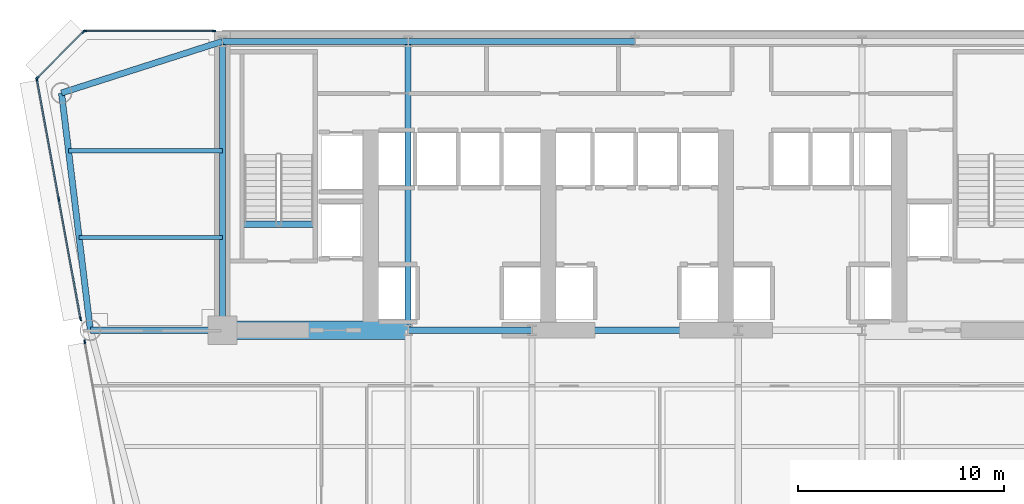
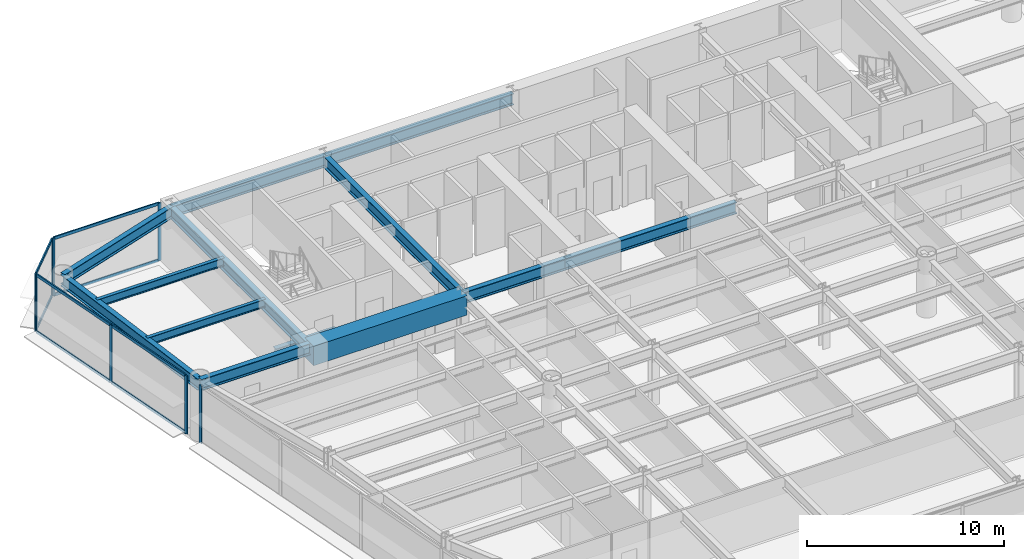
# One storey, part 6 of 15: 16 members, 13 beams, 4 elements without a shape of their own.
"""IFC4 building model written with IfcOpenShell, lengths in metres."""

import ifcopenshell
import ifcopenshell.guid

model = None  # the IFC model being written
_history = None  # IfcOwnerHistory: only IFC2X3 demands one
_inside = {}  # id of a spatial element -> (the spatial element, [elements in it])
_under = {}  # id of a project, library or spatial element -> (it, [spatial elements below it])
_declared = {}  # id of a project -> (the project, [libraries it declares])
_typed = {}  # id of a type object -> (the type object, [elements of that type])
_made_of = {}  # id of a material, layer set ... -> (it, [elements and type objects made of it])


def new_model(schema):
    """Start an empty IFC model of exactly this schema.

    Asked for "IFC4X3", IfcOpenShell would pick the latest addendum, in which some entities
    have other attributes; the version numbers below select the first issue.
    IFC2X3 requires an IfcOwnerHistory on every rooted entity: one is made here for all.
    """
    global model, _history
    if schema == "IFC4X3":
        model = ifcopenshell.file(schema_version=(4, 3, 0, 0))
    else:
        model = ifcopenshell.file(schema=schema)
    _inside.clear()
    _under.clear()
    _declared.clear()
    _typed.clear()
    _made_of.clear()
    _history = None
    if model.schema == "IFC2X3":
        org = make("IfcOrganization", Name="unknown")
        user = make(
            "IfcPersonAndOrganization",
            ThePerson=make("IfcPerson", FamilyName="unknown"),
            TheOrganization=org,
        )
        app = make(
            "IfcApplication",
            ApplicationDeveloper=org,
            Version="unknown",
            ApplicationFullName="unknown",
            ApplicationIdentifier="unknown",
        )
        _history = make(
            "IfcOwnerHistory",
            OwningUser=user,
            OwningApplication=app,
            ChangeAction="ADDED",
            CreationDate=0,
        )
    return model


def make(cls, **values):
    """One entity of the class cls with the attributes given. An attribute that is None is left unset."""
    return model.create_entity(
        cls, **{name: value for name, value in values.items() if value is not None}
    )


def rooted(cls, **values):
    """An entity with a GlobalId (a new one), such as an element, a storey or a relation."""
    return make(cls, GlobalId=ifcopenshell.guid.new(), OwnerHistory=_history, **values)


def si_unit(unit_type, name, prefix=None):
    """IfcSIUnit, for example si_unit("LENGTHUNIT", "METRE", prefix="MILLI")."""
    return make("IfcSIUnit", UnitType=unit_type, Prefix=prefix, Name=name)


def assignment(units):
    """IfcUnitAssignment: the units of a project."""
    return None if units is None else make("IfcUnitAssignment", Units=units)


def point(xyz):
    """IfcCartesianPoint."""
    return None if xyz is None else make("IfcCartesianPoint", Coordinates=xyz)


def direction(xyz):
    """IfcDirection."""
    return None if xyz is None else make("IfcDirection", DirectionRatios=xyz)


def frame(location, z_axis=None, x_axis=None):
    """IfcAxis2Placement3D, a coordinate frame: its origin and axes. An axis left out is left unset."""
    return make(
        "IfcAxis2Placement3D",
        Location=point(location),
        Axis=direction(z_axis),
        RefDirection=direction(x_axis),
    )


def frame_2d(location, x_axis=None):
    """IfcAxis2Placement2D, a coordinate frame in the plane: its origin and x axis."""
    return make(
        "IfcAxis2Placement2D", Location=point(location), RefDirection=direction(x_axis)
    )


def origin():
    """The frame at (0, 0, 0) with its axes left unset."""
    return frame((0.0, 0.0, 0.0))


def origin_2d():
    """The frame at (0, 0) in the plane with its x axis left unset."""
    return frame_2d((0.0, 0.0))


def place(relative_to, where):
    """IfcLocalPlacement: puts the frame where relative to a parent placement (None: the world)."""
    return make(
        "IfcLocalPlacement", PlacementRelTo=relative_to, RelativePlacement=where
    )


def context(
    kind, dimensions, precision=None, world=None, true_north=None, identifier=None
):
    """IfcGeometricRepresentationContext, for example the 3D "Model" context."""
    return make(
        "IfcGeometricRepresentationContext",
        ContextIdentifier=identifier,
        ContextType=kind,
        CoordinateSpaceDimension=dimensions,
        Precision=precision,
        WorldCoordinateSystem=world,
        TrueNorth=true_north,
    )


def subcontext(parent, identifier, kind, view, scale=None):
    """IfcGeometricRepresentationSubContext, for example "Body" below "Model"."""
    return make(
        "IfcGeometricRepresentationSubContext",
        ContextIdentifier=identifier,
        ContextType=kind,
        ParentContext=parent,
        TargetScale=scale,
        TargetView=view,
    )


def project(units=None, contexts=None):
    """IfcProject with its units and contexts."""
    return rooted(
        "IfcProject",
        Name="project",
        RepresentationContexts=contexts,
        UnitsInContext=assignment(units),
    )


def spatial(cls, under=None, at=None, **own):
    """A site, building, storey or space (cls), placed at a placement, below another one or the project."""
    s = rooted(cls, ObjectPlacement=at, **own)
    if under is not None:
        _under.setdefault(under.id(), (under, []))[1].append(s)
    return s


def profile(cls, at=None, kind="AREA", **sizes):
    """A parametric profile (cls). Its sizes go by their IFC names, for example OverallWidth=200.0."""
    return make(cls, ProfileType=kind, Position=at, **sizes)


def rectangle(**sizes):
    """IfcRectangleProfileDef."""
    return profile("IfcRectangleProfileDef", **sizes)


def i_section(**sizes):
    """IfcIShapeProfileDef."""
    return profile("IfcIShapeProfileDef", **sizes)


def extrude(swept, where, along, depth):
    """IfcExtrudedAreaSolid: the profile swept, set in the frame where, extruded along a direction by depth."""
    return make(
        "IfcExtrudedAreaSolid",
        SweptArea=swept,
        Position=where,
        ExtrudedDirection=direction(along),
        Depth=depth,
    )


def shape(context_of_items, identifier, shape_type, items):
    """IfcShapeRepresentation: the items that make up one representation, for example the "Body"."""
    return make(
        "IfcShapeRepresentation",
        ContextOfItems=context_of_items,
        RepresentationIdentifier=identifier,
        RepresentationType=shape_type,
        Items=items,
    )


def source(mapping_origin, context_of_items, identifier, shape_type, items):
    """IfcRepresentationMap: a shape defined once, which mapped items show again and again."""
    return make(
        "IfcRepresentationMap",
        MappingOrigin=mapping_origin,
        MappedRepresentation=shape(context_of_items, identifier, shape_type, items),
    )


def transform(
    local_origin,
    x_axis=None,
    y_axis=None,
    z_axis=None,
    scale=None,
    scale2=None,
    scale3=None,
    uniform=True,
):
    """IfcCartesianTransformationOperator3D, or its non-uniform kind. x_axis, y_axis, z_axis: its Axis1, 2, 3."""
    if uniform:
        return make(
            "IfcCartesianTransformationOperator3D",
            Axis1=direction(x_axis),
            Axis2=direction(y_axis),
            LocalOrigin=point(local_origin),
            Scale=scale,
            Axis3=direction(z_axis),
        )
    return make(
        "IfcCartesianTransformationOperator3DnonUniform",
        Axis1=direction(x_axis),
        Axis2=direction(y_axis),
        LocalOrigin=point(local_origin),
        Scale=scale,
        Axis3=direction(z_axis),
        Scale2=scale2,
        Scale3=scale3,
    )


def mapped(mapping_source, mapping_target):
    """IfcMappedItem: shows the shape of a source again, moved by a transform."""
    return make(
        "IfcMappedItem", MappingSource=mapping_source, MappingTarget=mapping_target
    )


def material(Name=None, Category=None):
    """IfcMaterial."""
    return make("IfcMaterial", Name=Name, Category=Category)


def layer(
    of_material, thickness, ventilated=None, Name=None, Category=None, Priority=None
):
    """IfcMaterialLayer: one layer of a wall or slab, of a material (None: an air gap)."""
    return make(
        "IfcMaterialLayer",
        Material=of_material,
        LayerThickness=thickness,
        IsVentilated=ventilated,
        Name=Name,
        Category=Category,
        Priority=Priority,
    )


def layer_set(layers, Name=None):
    """IfcMaterialLayerSet."""
    return make("IfcMaterialLayerSet", MaterialLayers=layers, LayerSetName=Name)


def material_profile(
    of_material, cross_section, Name=None, Category=None, Priority=None
):
    """IfcMaterialProfile: a cross section and its material."""
    return make(
        "IfcMaterialProfile",
        Name=Name,
        Material=of_material,
        Profile=cross_section,
        Priority=Priority,
        Category=Category,
    )


def profile_set(profiles, Name=None, composite=None):
    """IfcMaterialProfileSet."""
    return make(
        "IfcMaterialProfileSet",
        Name=Name,
        MaterialProfiles=profiles,
        CompositeProfile=composite,
    )


def made_of(thing, what):
    """Note that an element or type object is made of a material, layer set ...; save() writes the relation."""
    if what is not None:
        _made_of.setdefault(what.id(), (what, []))[1].append(thing)
    return thing


def type_object(cls, material=None, **own):
    """A type object (cls), such as IfcWallType, which elements share."""
    return made_of(rooted(cls, **own), material)


def element(
    cls,
    number,
    at=None,
    inside=None,
    cuts=None,
    type_object=None,
    material=None,
    context=None,
    identifier="Body",
    shape_type=None,
    held_by="IfcProductDefinitionShape",
    body=None,
    shapes=None,
    **own,
):
    """One element of the class cls, such as IfcWall. Its Tag is "e" and its number.

    at: its placement. inside: the storey or other place that contains it. cuts: it is an
    opening in that element (IfcRelVoidsElement). A single representation is given by context,
    identifier, shape_type and body (its items); several are given by shapes. held_by: the class
    of the entity that holds the representations. save() writes the other relations.
    """
    e = rooted(cls, Tag="e%d" % number, ObjectPlacement=at, **own)
    if body is not None:
        shapes = [shape(context, identifier, shape_type, body)]
    if shapes is not None:
        e.Representation = make(held_by, Representations=shapes)
    if inside is not None:
        _inside.setdefault(inside.id(), (inside, []))[1].append(e)
    if cuts is not None:
        rooted(
            "IfcRelVoidsElement", RelatingBuildingElement=cuts, RelatedOpeningElement=e
        )
    if type_object is not None:
        _typed.setdefault(type_object.id(), (type_object, []))[1].append(e)
    return made_of(e, material)


def aggregate(whole, parts):
    """IfcRelAggregates: a whole, such as a stair, and the parts it consists of."""
    return rooted("IfcRelAggregates", RelatingObject=whole, RelatedObjects=parts)


def save(model, path):
    """Write the relations noted so far, then the file.

    IfcRelAggregates (storeys below a building ...), IfcRelContainedInSpatialStructure (elements
    in a storey), IfcRelDefinesByType, IfcRelAssociatesMaterial and IfcRelDeclares: one each for
    every whole, place, type object, material and project.
    """
    for whole, parts in _under.values():
        aggregate(whole, parts)
    for where, things in _inside.values():
        rooted(
            "IfcRelContainedInSpatialStructure",
            RelatedElements=things,
            RelatingStructure=where,
        )
    for kind, things in _typed.values():
        rooted("IfcRelDefinesByType", RelatedObjects=things, RelatingType=kind)
    for what, things in _made_of.values():
        rooted("IfcRelAssociatesMaterial", RelatedObjects=things, RelatingMaterial=what)
    for by, libraries in _declared.values():
        rooted("IfcRelDeclares", RelatingContext=by, RelatedDefinitions=libraries)
    model.write(path)


model = new_model("IFC4")

# Units and contexts
model_context = context("Model", 3, precision=1e-05, world=origin(), true_north=direction((0.0, 1.0)))
body_context = subcontext(model_context, "Body", "Model", "MODEL_VIEW")
ifc_project = project(units=[si_unit("LENGTHUNIT", "METRE"), si_unit("AREAUNIT", "SQUARE_METRE"), si_unit("VOLUMEUNIT", "CUBIC_METRE"), si_unit("PLANEANGLEUNIT", "RADIAN"), si_unit("MASSUNIT", "GRAM", prefix="KILO")], contexts=[model_context])

# Site, building, storey
site_placement = place(None, origin())
site = spatial("IfcSite", under=ifc_project, at=site_placement, CompositionType="ELEMENT")
building_placement = place(site_placement, origin())
building = spatial("IfcBuilding", under=site, at=building_placement, Name="Vaeldorn Concourse Tower", CompositionType="ELEMENT")
storey_placement = place(building_placement, frame((0.0, 0.0, 103.39990234375)))
storey = spatial("IfcBuildingStorey", under=building, at=storey_placement, Name="L26", CompositionType="ELEMENT", Elevation=103.39990234375)

# Beams
ifc_material_1 = material(Name="Concrete C60/75", Category="concrete")
ifc_material_profile_1 = material_profile(ifc_material_1, rectangle(XDim=0.89990234375, YDim=1.199951171875, at=origin_2d()), Name="RC 900x1200")
ifc_profile_set_1 = profile_set([ifc_material_profile_1], Name="Concrete C60/75")
beam_type_1 = type_object("IfcBeamType", Name="BM-CB-RC900", PredefinedType="BEAM", material=ifc_profile_set_1)
shared_shape_1 = source(origin(), body_context, "Body", "SweptSolid", [
    extrude(rectangle(XDim=0.89990234375, YDim=1.199951171875, at=origin_2d()), origin(), (0.0, 0.0, 1.0), 9.0),
])
beam_1_placement = place(storey_placement, frame((14.0, 36.5, 2.97998046875), z_axis=(1.0, 0.0, 0.0), x_axis=(0.0, 1.0, 0.0)))
element("IfcBeam", 1, at=beam_1_placement, inside=storey, type_object=beam_type_1, Name="Core Coupling Beam L26-1", PredefinedType="BEAM", context=body_context, shape_type="MappedRepresentation", body=[
    mapped(shared_shape_1, transform((0.0, 0.0, 0.0), scale=1.0)),
])
ifc_material_2 = material(Name="Steel S355", Category="steel")
ifc_material_profile_2 = material_profile(ifc_material_2, i_section(OverallWidth=0.300048828125, OverallDepth=0.340087890625, WebThickness=0.011962890625, FlangeThickness=0.021484375, FilletRadius=0.027099609375, at=origin_2d()), Name="HEB 340")
ifc_profile_set_2 = profile_set([ifc_material_profile_2], Name="Steel S355")
beam_type_2 = type_object("IfcBeamType", Name="BM-ST-TRIM", PredefinedType="BEAM", material=ifc_profile_set_2)
shared_shape_2 = source(origin(), body_context, "Body", "SweptSolid", [
    extrude(i_section(OverallWidth=0.300048828125, OverallDepth=0.340087890625, WebThickness=0.011962890625, FlangeThickness=0.021484375, FilletRadius=0.027099609375, at=origin_2d()), origin(), (0.0, 0.0, 1.0), 3.590087890625),
])
beam_2_placement = place(storey_placement, frame((14.929931640625, 41.639892578125, -0.389892578125), z_axis=(1.0, 0.0, 0.0), x_axis=(0.0, 1.0, 0.0)))
element("IfcBeam", 2, at=beam_2_placement, inside=storey, type_object=beam_type_2, Name="Stair Landing Trimmer Beam ST-1 L26", PredefinedType="BEAM", context=body_context, shape_type="MappedRepresentation", body=[
    mapped(shared_shape_2, transform((0.0, 0.0, 0.0), scale=1.0)),
])
ifc_material_profile_3 = material_profile(ifc_material_2, i_section(OverallWidth=0.199951171875, OverallDepth=0.5, WebThickness=0.01025390625, FlangeThickness=0.01611328125, FilletRadius=0.02099609375, at=origin_2d()), Name="IPE 500")
ifc_profile_set_3 = profile_set([ifc_material_profile_3], Name="Steel S355")
beam_type_3 = type_object("IfcBeamType", Name="BM-JS-IPE500", PredefinedType="JOIST", material=ifc_profile_set_3)
shared_shape_3 = source(origin(), body_context, "Body", "SweptSolid", [
    extrude(i_section(OverallWidth=0.199951171875, OverallDepth=0.5, WebThickness=0.01025390625, FlangeThickness=0.01611328125, FilletRadius=0.02099609375, at=origin_2d()), origin(), (0.0, 0.0, 1.0), 6.94775390625),
])
beam_3_placement = place(storey_placement, frame((7.05224609375, 41.0, 3.330078125), z_axis=(1.0, 0.0, 0.0), x_axis=(0.0, 1.0, 0.0)))
element("IfcBeam", 3, at=beam_3_placement, inside=storey, type_object=beam_type_3, Name="Beam JS-L26-NW-410", PredefinedType="JOIST", context=body_context, shape_type="MappedRepresentation", body=[
    mapped(shared_shape_3, transform((0.0, 0.0, 0.0), scale=1.0)),
])
shared_shape_4 = source(origin(), body_context, "Body", "SweptSolid", [
    extrude(i_section(OverallWidth=0.199951171875, OverallDepth=0.5, WebThickness=0.01025390625, FlangeThickness=0.01611328125, FilletRadius=0.02099609375, at=origin_2d()), origin(), (0.0, 0.0, 1.0), 7.458984375),
])
beam_4_placement = place(storey_placement, frame((6.541015625, 45.199951171875, 3.330078125), z_axis=(1.0, 0.0, 0.0), x_axis=(0.0, 1.0, 0.0)))
element("IfcBeam", 4, at=beam_4_placement, inside=storey, type_object=beam_type_3, Name="Beam JS-L26-NW-452", PredefinedType="JOIST", context=body_context, shape_type="MappedRepresentation", body=[
    mapped(shared_shape_4, transform((0.0, 0.0, 0.0), scale=1.0)),
])
ifc_material_profile_4 = material_profile(ifc_material_2, i_section(OverallWidth=0.300048828125, OverallDepth=0.699951171875, WebThickness=0.01708984375, FlangeThickness=0.031982421875, FilletRadius=0.027099609375, at=origin_2d()), Name="HEB 700")
ifc_profile_set_4 = profile_set([ifc_material_profile_4], Name="Steel S355")
beam_type_4 = type_object("IfcBeamType", Name="BM-PG-HEB700", PredefinedType="BEAM", material=ifc_profile_set_4)
shared_shape_5 = source(origin(), body_context, "Body", "SweptSolid", [
    extrude(i_section(OverallWidth=0.300048828125, OverallDepth=0.699951171875, WebThickness=0.01708984375, FlangeThickness=0.031982421875, FilletRadius=0.027099609375, at=origin_2d()), origin(), (0.0, 0.0, 1.0), 6.0),
])
beam_5_placement = place(storey_placement, frame((23.0, 36.5, 3.22998046875), z_axis=(1.0, 0.0, 0.0), x_axis=(0.0, 1.0, 0.0)))
element("IfcBeam", 5, at=beam_5_placement, inside=storey, type_object=beam_type_4, Name="Beam BM-L26-C-FC2-C-FC3", PredefinedType="BEAM", context=body_context, shape_type="MappedRepresentation", body=[
    mapped(shared_shape_5, transform((0.0, 0.0, 0.0), scale=1.0)),
])
shared_shape_6 = source(origin(), body_context, "Body", "SweptSolid", [
    extrude(i_section(OverallWidth=0.300048828125, OverallDepth=0.699951171875, WebThickness=0.01708984375, FlangeThickness=0.031982421875, FilletRadius=0.027099609375, at=origin_2d()), origin(), (0.0, 0.0, 1.0), 10.0),
])
beam_6_placement = place(storey_placement, frame((29.0, 36.5, 3.22998046875), z_axis=(1.0, 0.0, 0.0), x_axis=(0.0, 1.0, 0.0)))
element("IfcBeam", 6, at=beam_6_placement, inside=storey, type_object=beam_type_4, Name="Beam BM-L26-C-FC3-C-FC4", PredefinedType="BEAM", context=body_context, shape_type="MappedRepresentation", body=[
    mapped(shared_shape_6, transform((0.0, 0.0, 0.0), scale=1.0)),
])
shared_shape_7 = source(origin(), body_context, "Body", "SweptSolid", [
    extrude(i_section(OverallWidth=0.300048828125, OverallDepth=0.699951171875, WebThickness=0.01708984375, FlangeThickness=0.031982421875, FilletRadius=0.027099609375, at=origin_2d()), origin(), (0.0, 0.0, 1.0), 9.0),
])
beam_7_placement = place(storey_placement, frame((14.0, 50.5, 3.22998046875), z_axis=(1.0, 0.0, 0.0), x_axis=(0.0, 1.0, 0.0)))
element("IfcBeam", 7, at=beam_7_placement, inside=storey, type_object=beam_type_4, Name="Beam BM-L26-C-HC1-C-HC2", PredefinedType="BEAM", context=body_context, shape_type="MappedRepresentation", body=[
    mapped(shared_shape_7, transform((0.0, 0.0, 0.0), scale=1.0)),
])
shared_shape_8 = source(origin(), body_context, "Body", "SweptSolid", [
    extrude(i_section(OverallWidth=0.300048828125, OverallDepth=0.699951171875, WebThickness=0.01708984375, FlangeThickness=0.031982421875, FilletRadius=0.027099609375, at=origin_2d()), origin(), (0.0, 0.0, 1.0), 11.0),
])
beam_8_placement = place(storey_placement, frame((23.0, 50.5, 3.22998046875), z_axis=(1.0, 0.0, 0.0), x_axis=(0.0, 1.0, 0.0)))
element("IfcBeam", 8, at=beam_8_placement, inside=storey, type_object=beam_type_4, Name="Beam BM-L26-C-HC2-C-HC3", PredefinedType="BEAM", context=body_context, shape_type="MappedRepresentation", body=[
    mapped(shared_shape_8, transform((0.0, 0.0, 0.0), scale=1.0)),
])
shared_shape_9 = source(origin(), body_context, "Body", "SweptSolid", [
    extrude(i_section(OverallWidth=0.300048828125, OverallDepth=0.699951171875, WebThickness=0.01708984375, FlangeThickness=0.031982421875, FilletRadius=0.027099609375, at=origin_2d()), origin(), (0.0, 0.0, 1.0), 14.0),
])
for number, where, z_axis, x_axis, name in (
    (9, (14.0, 36.5, 3.22998046875), (0.0, 1.0, 0.0), (-1.0, 0.0, 0.0), "Beam BM-L26-C-FC1-C-HC1"),
    (10, (23.0, 36.5, 3.22998046875), (0.0, 1.0, 0.0), (-1.0, 0.0, 0.0), "Beam BM-L26-C-FC2-C-HC2"),
):
    element("IfcBeam", number, at=place(storey_placement, frame(where, z_axis=z_axis, x_axis=x_axis)), inside=storey, type_object=beam_type_4, Name=name, PredefinedType="BEAM", context=body_context, shape_type="MappedRepresentation", body=[
        mapped(shared_shape_9, transform((0.0, 0.0, 0.0), scale=1.0)),
    ])
shared_shape_10 = source(origin(), body_context, "Body", "SweptSolid", [
    extrude(i_section(OverallWidth=0.300048828125, OverallDepth=0.699951171875, WebThickness=0.01708984375, FlangeThickness=0.031982421875, FilletRadius=0.027099609375, at=origin_2d()), origin(), (0.0, 0.0, 1.0), 8.19091796875),
])
beam_9_placement = place(storey_placement, frame((6.199951171875, 48.0, 3.22998046875), z_axis=(0.952282843383, 0.305216949396, 0.0), x_axis=(-0.305216949396, 0.952282843383, 0.0)))
element("IfcBeam", 11, at=beam_9_placement, inside=storey, type_object=beam_type_4, Name="Beam BM-L26-C-NW1-C-HC1", PredefinedType="BEAM", context=body_context, shape_type="MappedRepresentation", body=[
    mapped(shared_shape_10, transform((0.0, 0.0, 0.0), scale=1.0)),
])
shared_shape_11 = source(origin(), body_context, "Body", "SweptSolid", [
    extrude(i_section(OverallWidth=0.300048828125, OverallDepth=0.699951171875, WebThickness=0.01708984375, FlangeThickness=0.031982421875, FilletRadius=0.027099609375, at=origin_2d()), origin(), (0.0, 0.0, 1.0), 11.5849609375),
])
beam_10_placement = place(storey_placement, frame((6.199951171875, 48.0, 3.22998046875), z_axis=(0.120859382899, -0.992669637677, 0.0), x_axis=(0.992669637677, 0.120859382899, 0.0)))
element("IfcBeam", 12, at=beam_10_placement, inside=storey, type_object=beam_type_4, Name="Beam BM-L26-C-NW1-C-NW2", PredefinedType="BEAM", context=body_context, shape_type="MappedRepresentation", body=[
    mapped(shared_shape_11, transform((0.0, 0.0, 0.0), scale=1.0)),
])
shared_shape_12 = source(origin(), body_context, "Body", "SweptSolid", [
    extrude(i_section(OverallWidth=0.300048828125, OverallDepth=0.699951171875, WebThickness=0.01708984375, FlangeThickness=0.031982421875, FilletRadius=0.027099609375, at=origin_2d()), origin(), (0.0, 0.0, 1.0), 6.39990234375),
])
beam_11_placement = place(storey_placement, frame((7.60009765625, 36.5, 3.22998046875), z_axis=(1.0, 0.0, 0.0), x_axis=(0.0, 1.0, 0.0)))
element("IfcBeam", 13, at=beam_11_placement, inside=storey, type_object=beam_type_4, Name="Beam BM-L26-C-NW2-C-FC1", PredefinedType="BEAM", context=body_context, shape_type="MappedRepresentation", body=[
    mapped(shared_shape_12, transform((0.0, 0.0, 0.0), scale=1.0)),
])

# Curtain wall, members
ifc_material_3 = material(Name="Anodised Bronze Aluminium", Category="aluminium")
ifc_layer = layer(ifc_material_3, 0.199951171875)
ifc_layer_set = layer_set([ifc_layer], Name="Anodised Bronze Aluminium")
curtain_wall_type = type_object("IfcCurtainWallType", Name="CW-SYS-02", PredefinedType="NOTDEFINED", material=ifc_layer_set)
curtain_wall_1_placement = place(storey_placement, origin())
curtain_wall_1 = element("IfcCurtainWall", 14, at=curtain_wall_1_placement, inside=storey, type_object=curtain_wall_type, Name="Unitised Curtain Wall CW-L26-E10-1", PredefinedType="NOTDEFINED")
ifc_material_profile_5 = material_profile(ifc_material_3, rectangle(XDim=0.074951171875, YDim=0.179931640625, at=origin_2d()), Name="CWT 75x180")
ifc_profile_set_5 = profile_set([ifc_material_profile_5], Name="Anodised Bronze Aluminium")
member_type_1 = type_object("IfcMemberType", Name="CWT-BRONZE-180", PredefinedType="USERDEFINED", material=ifc_profile_set_5)
shared_shape_13 = source(origin(), body_context, "Body", "SweptSolid", [
    extrude(rectangle(XDim=0.074951171875, YDim=0.179931640625, at=origin_2d()), origin(), (0.0, 0.0, 1.0), 3.10302734375),
])
member_1_placement = place(storey_placement, frame((7.2470703125, 50.947021484375, 0.03759765625), z_axis=(-0.707106781187, -0.707106781187, 0.0), x_axis=(0.707106781187, -0.707106781187, 0.0)))
member_1 = element("IfcMember", 15, at=member_1_placement, type_object=member_type_1, Name="CW-02 transom 1.1", ObjectType="TRANSOM", PredefinedType="USERDEFINED", context=body_context, shape_type="MappedRepresentation", body=[
    mapped(shared_shape_13, transform((0.0, 0.0, 0.0), scale=1.0)),
])
member_2_placement = place(storey_placement, frame((7.2470703125, 50.947021484375, 3.54248046875), z_axis=(-0.707106781187, -0.707106781187, 0.0), x_axis=(0.707106781187, -0.707106781187, 0.0)))
member_2 = element("IfcMember", 16, at=member_2_placement, type_object=member_type_1, Name="CW-02 transom 1.2", ObjectType="TRANSOM", PredefinedType="USERDEFINED", context=body_context, shape_type="MappedRepresentation", body=[
    mapped(shared_shape_13, transform((0.0, 0.0, 0.0), scale=1.0)),
])

curtain_wall_2_placement = place(storey_placement, origin())
curtain_wall_2 = element("IfcCurtainWall", 17, at=curtain_wall_2_placement, inside=storey, type_object=curtain_wall_type, Name="Unitised Curtain Wall CW-L26-E09-2", PredefinedType="NOTDEFINED")
ifc_material_profile_6 = material_profile(ifc_material_3, rectangle(XDim=0.074951171875, YDim=0.18994140625, at=origin_2d()), Name="CWM 75x190")
ifc_profile_set_6 = profile_set([ifc_material_profile_6], Name="Anodised Bronze Aluminium")
member_type_2 = type_object("IfcMemberType", Name="CWM-BRONZE-190", PredefinedType="MULLION", material=ifc_profile_set_6)
shared_shape_14 = source(origin(), body_context, "Body", "SweptSolid", [
    extrude(rectangle(XDim=0.074951171875, YDim=0.18994140625, at=origin_2d()), origin(), (0.0, 0.0, 1.0), 3.580078125),
])
member_3_placement = place(storey_placement, frame((13.592529296875, 51.0, 0.0), z_axis=(0.0, 0.0, 1.0), x_axis=(0.0, -1.0, 0.0)))
member_3 = element("IfcMember", 18, at=member_3_placement, type_object=member_type_2, Name="CW-02 mullion 1", PredefinedType="MULLION", context=body_context, shape_type="MappedRepresentation", body=[
    mapped(shared_shape_14, transform((0.0, 0.0, 0.0), scale=1.0)),
])
member_4_placement = place(storey_placement, frame((7.33740234375, 51.0, 0.0), z_axis=(0.0, 0.0, 1.0), x_axis=(0.0, -1.0, 0.0)))
member_4 = element("IfcMember", 19, at=member_4_placement, type_object=member_type_2, Name="CW-02 mullion 2", PredefinedType="MULLION", context=body_context, shape_type="MappedRepresentation", body=[
    mapped(shared_shape_14, transform((0.0, 0.0, 0.0), scale=1.0)),
])

# Member
member_5_placement = place(storey_placement, frame((7.2734375, 50.973388671875, 0.0), z_axis=(0.0, 0.0, 1.0), x_axis=(0.707106781187, -0.707106781187, 0.0)))
member_5 = element("IfcMember", 20, at=member_5_placement, type_object=member_type_2, Name="CW-02 mullion 1", PredefinedType="MULLION", context=body_context, shape_type="MappedRepresentation", body=[
    mapped(shared_shape_14, transform((0.0, 0.0, 0.0), scale=1.0)),
])

member_6_placement = place(storey_placement, frame((5.026611328125, 48.7265625, 0.0), z_axis=(0.0, 0.0, 1.0), x_axis=(0.707106781187, -0.707106781187, 0.0)))
member_6 = element("IfcMember", 21, at=member_6_placement, type_object=member_type_2, Name="CW-02 mullion 2", PredefinedType="MULLION", context=body_context, shape_type="MappedRepresentation", body=[
    mapped(shared_shape_14, transform((0.0, 0.0, 0.0), scale=1.0)),
])

aggregate(curtain_wall_1, [member_5, member_6, member_1, member_2])

# Curtain wall, members
curtain_wall_3_placement = place(storey_placement, origin())
curtain_wall_3 = element("IfcCurtainWall", 22, at=curtain_wall_3_placement, inside=storey, type_object=curtain_wall_type, Name="Unitised Curtain Wall CW-L26-E11-1", PredefinedType="NOTDEFINED")
member_7_placement = place(storey_placement, frame((5.0068359375, 48.6630859375, 0.0), z_axis=(0.0, 0.0, 1.0), x_axis=(0.983779373074, 0.179382677853, 0.0)))
member_7 = element("IfcMember", 23, at=member_7_placement, type_object=member_type_2, Name="CW-02 mullion 1", PredefinedType="MULLION", context=body_context, shape_type="MappedRepresentation", body=[
    mapped(shared_shape_14, transform((0.0, 0.0, 0.0), scale=1.0)),
])
member_8_placement = place(storey_placement, frame((6.06494140625, 42.85888671875, 0.0), z_axis=(0.0, 0.0, 1.0), x_axis=(0.983779373074, 0.179382677853, 0.0)))
member_8 = element("IfcMember", 24, at=member_8_placement, type_object=member_type_2, Name="CW-02 mullion 2", PredefinedType="MULLION", context=body_context, shape_type="MappedRepresentation", body=[
    mapped(shared_shape_14, transform((0.0, 0.0, 0.0), scale=1.0)),
])
member_9_placement = place(storey_placement, frame((7.123291015625, 37.054931640625, 0.0), z_axis=(0.0, 0.0, 1.0), x_axis=(0.983779373074, 0.179382677853, 0.0)))
member_9 = element("IfcMember", 25, at=member_9_placement, type_object=member_type_2, Name="CW-02 mullion 3", PredefinedType="MULLION", context=body_context, shape_type="MappedRepresentation", body=[
    mapped(shared_shape_14, transform((0.0, 0.0, 0.0), scale=1.0)),
])

# Curtain wall, member
curtain_wall_4_placement = place(storey_placement, origin())
curtain_wall_4 = element("IfcCurtainWall", 26, at=curtain_wall_4_placement, inside=storey, type_object=curtain_wall_type, Name="Unitised Curtain Wall CW-L26-E11-2", PredefinedType="NOTDEFINED")
member_10_placement = place(storey_placement, frame((7.32568359375, 35.945068359375, 0.0), z_axis=(0.0, 0.0, 1.0), x_axis=(0.983779200312, 0.179383625321, 0.0)))
member_10 = element("IfcMember", 27, at=member_10_placement, type_object=member_type_2, Name="CW-02 mullion 1", PredefinedType="MULLION", context=body_context, shape_type="MappedRepresentation", body=[
    mapped(shared_shape_14, transform((0.0, 0.0, 0.0), scale=1.0)),
])
aggregate(curtain_wall_4, [member_10])

# Member
shared_shape_15 = source(origin(), body_context, "Body", "SweptSolid", [
    extrude(rectangle(XDim=0.074951171875, YDim=0.179931640625, at=origin_2d()), origin(), (0.0, 0.0, 1.0), 6.179931640625),
])
member_11_placement = place(storey_placement, frame((13.554931640625, 51.0, 0.03759765625), z_axis=(-1.0, 0.0, 0.0), x_axis=(0.0, -1.0, 0.0)))
member_11 = element("IfcMember", 28, at=member_11_placement, type_object=member_type_1, Name="CW-02 transom 1.1", ObjectType="TRANSOM", PredefinedType="USERDEFINED", context=body_context, shape_type="MappedRepresentation", body=[
    mapped(shared_shape_15, transform((0.0, 0.0, 0.0), scale=1.0)),
])

member_12_placement = place(storey_placement, frame((13.554931640625, 51.0, 3.54248046875), z_axis=(-1.0, 0.0, 0.0), x_axis=(0.0, -1.0, 0.0)))
member_12 = element("IfcMember", 29, at=member_12_placement, type_object=member_type_1, Name="CW-02 transom 1.2", ObjectType="TRANSOM", PredefinedType="USERDEFINED", context=body_context, shape_type="MappedRepresentation", body=[
    mapped(shared_shape_15, transform((0.0, 0.0, 0.0), scale=1.0)),
])

aggregate(curtain_wall_2, [member_3, member_4, member_11, member_12])

shared_shape_16 = source(origin(), body_context, "Body", "SweptSolid", [
    extrude(rectangle(XDim=0.074951171875, YDim=0.179931640625, at=origin_2d()), origin(), (0.0, 0.0, 1.0), 5.82470703125),
])
member_13_placement = place(storey_placement, frame((5.013427734375, 48.626220703125, 0.03759765625), z_axis=(0.179394424984, -0.983777231026, 0.0), x_axis=(0.983777231026, 0.179394424984, 0.0)))
member_13 = element("IfcMember", 30, at=member_13_placement, type_object=member_type_1, Name="CW-02 transom 1.1", ObjectType="TRANSOM", PredefinedType="USERDEFINED", context=body_context, shape_type="MappedRepresentation", body=[
    mapped(shared_shape_16, transform((0.0, 0.0, 0.0), scale=1.0)),
])

member_14_placement = place(storey_placement, frame((5.013427734375, 48.626220703125, 3.54248046875), z_axis=(0.179394424984, -0.983777231026, 0.0), x_axis=(0.983777231026, 0.179394424984, 0.0)))
member_14 = element("IfcMember", 31, at=member_14_placement, type_object=member_type_1, Name="CW-02 transom 1.2", ObjectType="TRANSOM", PredefinedType="USERDEFINED", context=body_context, shape_type="MappedRepresentation", body=[
    mapped(shared_shape_16, transform((0.0, 0.0, 0.0), scale=1.0)),
])

member_15_placement = place(storey_placement, frame((6.07177734375, 42.822021484375, 0.03759765625), z_axis=(0.179394424984, -0.983777231026, 0.0), x_axis=(0.983777231026, 0.179394424984, 0.0)))
member_15 = element("IfcMember", 32, at=member_15_placement, type_object=member_type_1, Name="CW-02 transom 2.1", ObjectType="TRANSOM", PredefinedType="USERDEFINED", context=body_context, shape_type="MappedRepresentation", body=[
    mapped(shared_shape_16, transform((0.0, 0.0, 0.0), scale=1.0)),
])

member_16_placement = place(storey_placement, frame((6.07177734375, 42.822021484375, 3.54248046875), z_axis=(0.179394424984, -0.983777231026, 0.0), x_axis=(0.983777231026, 0.179394424984, 0.0)))
member_16 = element("IfcMember", 33, at=member_16_placement, type_object=member_type_1, Name="CW-02 transom 2.2", ObjectType="TRANSOM", PredefinedType="USERDEFINED", context=body_context, shape_type="MappedRepresentation", body=[
    mapped(shared_shape_16, transform((0.0, 0.0, 0.0), scale=1.0)),
])

aggregate(curtain_wall_3, [member_7, member_8, member_9, member_13, member_14, member_15, member_16])

save(model, "model.ifc")
